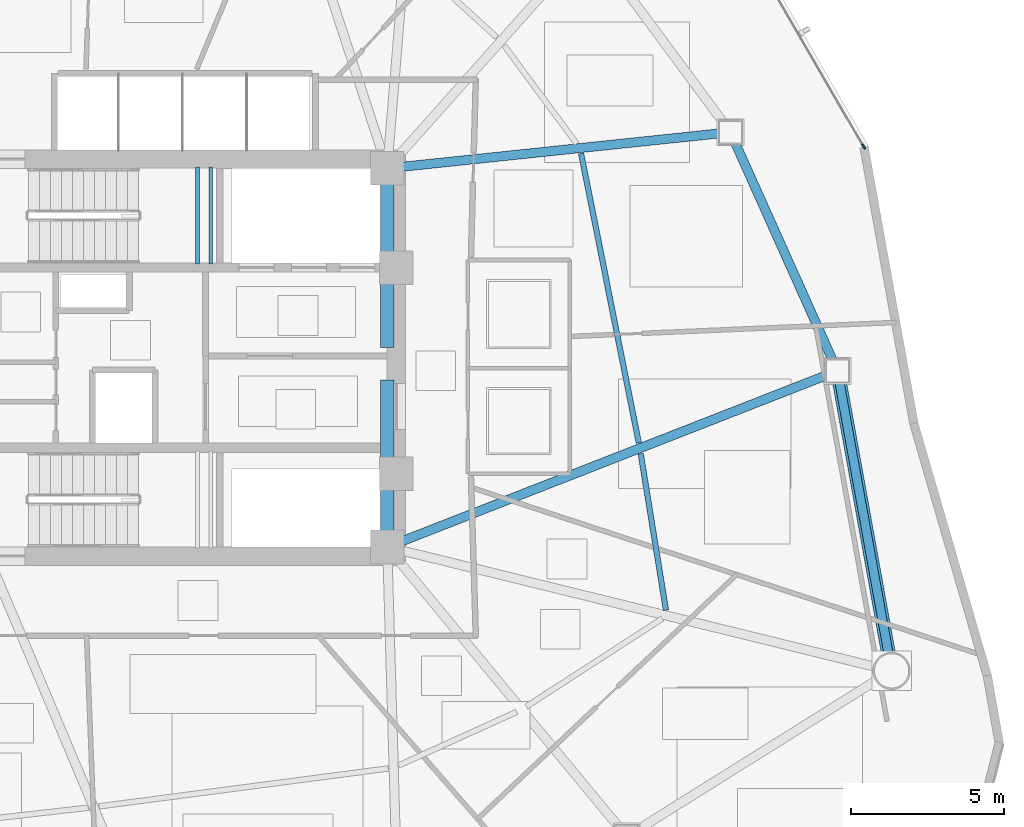
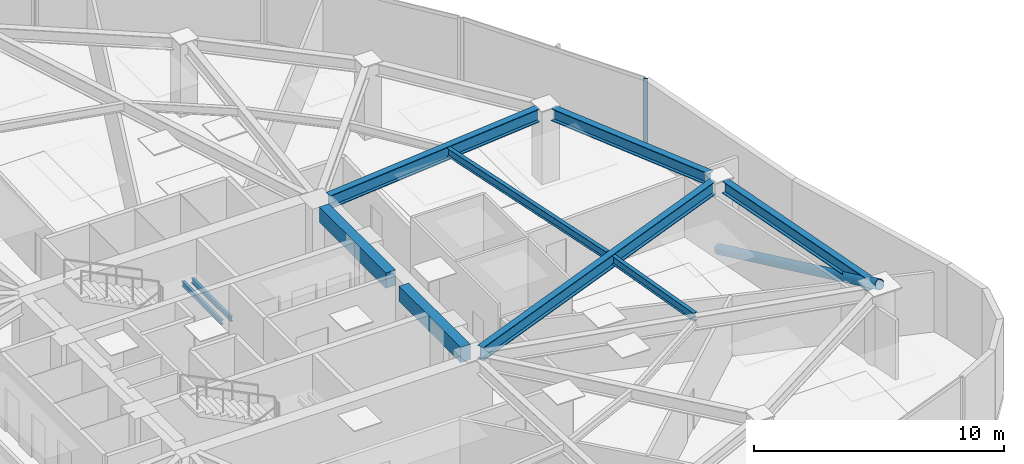
# One storey, part 6 of 17: 10 beams, 2 members, 1 element without a shape of its own.
"""IFC4 building model written with IfcOpenShell, lengths in metres."""

from ifc_helpers import new_model, si_unit, direction, frame, origin, origin_2d, place, context, subcontext, project, spatial, rectangle, hollow_rectangle, hollow_circle, i_section, extrude, source, transform, mapped, material, layer, layer_set, material_profile, profile_set, type_object, type_shapes, element, aggregate, save


model = new_model("IFC4")

# Units and contexts
model_context = context("Model", 3, precision=1e-05, world=origin(), true_north=direction((0.0, 1.0)))
body_context = subcontext(model_context, "Body", "Model", "MODEL_VIEW")
ifc_project = project(units=[si_unit("LENGTHUNIT", "METRE"), si_unit("AREAUNIT", "SQUARE_METRE"), si_unit("VOLUMEUNIT", "CUBIC_METRE"), si_unit("PLANEANGLEUNIT", "RADIAN"), si_unit("MASSUNIT", "GRAM", prefix="KILO")], contexts=[model_context])

# Site, building, storey
site_placement = place(None, origin())
site = spatial("IfcSite", under=ifc_project, at=site_placement, CompositionType="ELEMENT")
building_placement = place(site_placement, origin())
building = spatial("IfcBuilding", under=site, at=building_placement, Name="Tavelor Broadcast Tower", CompositionType="ELEMENT")
storey_placement = place(building_placement, frame((0.0, 0.0, 39.300048828125)))
storey = spatial("IfcBuildingStorey", under=building, at=storey_placement, Name="L08", CompositionType="ELEMENT", Elevation=39.300048828125)

# Beams
ifc_material_1 = material(Name="Concrete C40/50", Category="concrete")
ifc_material_profile_1 = material_profile(ifc_material_1, rectangle(XDim=0.449951171875, YDim=0.75, at=origin_2d()), Name="RC 450x750")
ifc_profile_set_1 = profile_set([ifc_material_profile_1], Name="Concrete C40/50")
beam_type_1 = type_object("IfcBeamType", Name="Basement Core Trim Beam 450x750", PredefinedType="BEAM", material=ifc_profile_set_1)
beam_1_placement = place(storey_placement, frame((56.60009765625, 45.327880859375, 3.224853515625), z_axis=(0.0, 1.0, 0.0), x_axis=(-1.0, 0.0, 0.0)))
element("IfcBeam", 1, at=beam_1_placement, inside=storey, type_object=beam_type_1, Name="L08 Core East-N Tie Girder", PredefinedType="BEAM", context=body_context, shape_type="SweptSolid", body=[
    extrude(rectangle(XDim=0.449951171875, YDim=0.75, at=origin_2d()), origin(), (0.0, 0.0, 1.0), 5.34423828125),
])
beam_2_placement = place(storey_placement, frame((56.60009765625, 39.327880859375, 3.224853515625), z_axis=(0.0, 1.0, 0.0), x_axis=(-1.0, 0.0, 0.0)))
element("IfcBeam", 2, at=beam_2_placement, inside=storey, type_object=beam_type_1, Name="L08 Core East-S Tie Girder", PredefinedType="BEAM", context=body_context, shape_type="SweptSolid", body=[
    extrude(rectangle(XDim=0.449951171875, YDim=0.75, at=origin_2d()), origin(), (0.0, 0.0, 1.0), 4.944091796875),
])
ifc_material_2 = material(Name="Steel S355", Category="steel")
ifc_material_profile_2 = material_profile(ifc_material_2, i_section(OverallWidth=0.179931640625, OverallDepth=0.39990234375, WebThickness=0.008544921875, FlangeThickness=0.013427734375, at=origin_2d()), Name="IPE 400")
ifc_profile_set_2 = profile_set([ifc_material_profile_2], Name="Steel S355")
beam_type_2 = type_object("IfcBeamType", Name="Composite Floor Joist T1 IPE 400", PredefinedType="JOIST", material=ifc_profile_set_2)
beam_3_placement = place(storey_placement, frame((65.728515625, 36.72998046875, 3.39990234375), z_axis=(-0.159264963379, 0.987235874267, 0.0), x_axis=(-0.987235874267, -0.159264963379, 0.0)))
element("IfcBeam", 3, at=beam_3_placement, inside=storey, type_object=beam_type_2, Name="L08 Secondary Composite Floor Joist 13", PredefinedType="JOIST", context=body_context, shape_type="SweptSolid", body=[
    extrude(i_section(OverallWidth=0.179931640625, OverallDepth=0.39990234375, WebThickness=0.008544921875, FlangeThickness=0.013427734375, at=origin_2d()), origin(), (0.0, 0.0, 1.0), 5.19189453125),
])
beam_4_placement = place(storey_placement, frame((64.83740234375, 42.2119140625, 3.39990234375), z_axis=(-0.195615567929, 0.980680656271, 0.0), x_axis=(-0.980680656271, -0.195615567929, 0.0)))
element("IfcBeam", 4, at=beam_4_placement, inside=storey, type_object=beam_type_2, Name="L08 Secondary Composite Floor Joist 14", PredefinedType="JOIST", context=body_context, shape_type="SweptSolid", body=[
    extrude(i_section(OverallWidth=0.179931640625, OverallDepth=0.39990234375, WebThickness=0.008544921875, FlangeThickness=0.013427734375, at=origin_2d()), origin(), (0.0, 0.0, 1.0), 9.661376953125),
])
ifc_material_profile_3 = material_profile(ifc_material_2, i_section(OverallWidth=0.300048828125, OverallDepth=0.60009765625, WebThickness=0.015380859375, FlangeThickness=0.030029296875, at=origin_2d()), Name="HEB 600")
ifc_profile_set_3 = profile_set([ifc_material_profile_3], Name="Steel S355")
beam_type_3 = type_object("IfcBeamType", Name="Perimeter Spandrel Beam T1 HEB 600", PredefinedType="SPANDREL", material=ifc_profile_set_3)
beam_5_placement = place(storey_placement, frame((73.013916015625, 35.31982421875, 3.300048828125), z_axis=(-0.177745578839, 0.984076475282, 0.0), x_axis=(-0.984076475282, -0.177745578839, 0.0)))
element("IfcBeam", 5, at=beam_5_placement, inside=storey, type_object=beam_type_3, Name="L08 Framed-Tube Ring Spandrel 13", PredefinedType="SPANDREL", context=body_context, shape_type="SweptSolid", body=[
    extrude(i_section(OverallWidth=0.300048828125, OverallDepth=0.60009765625, WebThickness=0.015380859375, FlangeThickness=0.030029296875, at=origin_2d()), origin(), (0.0, 0.0, 1.0), 9.010498046875),
])
beam_6_placement = place(storey_placement, frame((71.18701171875, 44.9150390625, 3.300048828125), z_axis=(-0.40892197507, 0.912569349861, 0.0), x_axis=(-0.912569349861, -0.40892197507, 0.0)))
element("IfcBeam", 6, at=beam_6_placement, inside=storey, type_object=beam_type_3, Name="L08 Framed-Tube Ring Spandrel 14", PredefinedType="SPANDREL", context=body_context, shape_type="SweptSolid", body=[
    extrude(i_section(OverallWidth=0.300048828125, OverallDepth=0.60009765625, WebThickness=0.015380859375, FlangeThickness=0.030029296875, at=origin_2d()), origin(), (0.0, 0.0, 1.0), 7.799072265625),
])

# Member
ifc_material_profile_4 = material_profile(ifc_material_2, hollow_circle(Radius=0.228515625, WallThickness=0.02001953125, at=origin_2d()), Name="CHS 457x20")
ifc_profile_set_4 = profile_set([ifc_material_profile_4], Name="Steel S355")
member_type_1 = type_object("IfcMemberType", Name="Perimeter Tube Brace T1 CHS 457x20", PredefinedType="BRACE", material=ifc_profile_set_4)
member_1_placement = place(storey_placement, frame((71.343994140625, 44.564697265625, 0.0), z_axis=(0.167207286332, -0.925692306634, 0.339316190059), x_axis=(0.984075144607, 0.177752945874, 0.0)))
element("IfcMember", 7, at=member_1_placement, inside=storey, type_object=member_type_1, Name="L08 Corner Tube Diagonal Brace 3", PredefinedType="BRACE", context=body_context, shape_type="SweptSolid", body=[
    extrude(hollow_circle(Radius=0.228515625, WallThickness=0.02001953125, at=origin_2d()), origin(), (0.0, 0.0, 1.0), 10.609130859375),
])

# Beams
ifc_material_profile_5 = material_profile(ifc_material_2, i_section(OverallWidth=0.300048828125, OverallDepth=0.64990234375, WebThickness=0.01611328125, FlangeThickness=0.031005859375, at=origin_2d()), Name="HEB 650")
ifc_profile_set_5 = profile_set([ifc_material_profile_5], Name="Steel S355")
beam_type_4 = type_object("IfcBeamType", Name="Radial Floor Girder T1 HEB 650", PredefinedType="BEAM", material=ifc_profile_set_5)
beam_7_placement = place(storey_placement, frame((57.091796875, 38.9921875, 3.27490234375), z_axis=(0.931344390249, 0.364139570429, 0.0), x_axis=(-0.364139570429, 0.931344390249, 0.0)))
element("IfcBeam", 8, at=beam_7_placement, inside=storey, type_object=beam_type_4, Name="L08 Radial Primary Floor Girder 14", PredefinedType="BEAM", context=body_context, shape_type="SweptSolid", body=[
    extrude(i_section(OverallWidth=0.300048828125, OverallDepth=0.64990234375, WebThickness=0.01611328125, FlangeThickness=0.031005859375, at=origin_2d()), origin(), (0.0, 0.0, 1.0), 14.9189453125),
])
beam_8_placement = place(storey_placement, frame((57.125, 51.255126953125, 3.27490234375), z_axis=(0.994511502262, 0.104627299822, 0.0), x_axis=(-0.104627299822, 0.994511502262, 0.0)))
element("IfcBeam", 9, at=beam_8_placement, inside=storey, type_object=beam_type_4, Name="L08 Radial Primary Floor Girder 15", PredefinedType="BEAM", context=body_context, shape_type="SweptSolid", body=[
    extrude(i_section(OverallWidth=0.300048828125, OverallDepth=0.64990234375, WebThickness=0.01611328125, FlangeThickness=0.031005859375, at=origin_2d()), origin(), (0.0, 0.0, 1.0), 10.390869140625),
])
ifc_material_profile_6 = material_profile(ifc_material_2, i_section(OverallWidth=0.1201171875, OverallDepth=0.239990234375, WebThickness=0.006103515625, FlangeThickness=0.009765625, at=origin_2d()), Name="IPE 240")
ifc_profile_set_6 = profile_set([ifc_material_profile_6], Name="Steel S355")
beam_type_5 = type_object("IfcBeamType", Name="Stairwell Landing Support Trimmer Beam IPE240", PredefinedType="BEAM", material=ifc_profile_set_6)
for number, where, z_axis, x_axis, name in (
    (10, (50.385009765625, 48.06005859375, 1.635009765625), (0.0, 1.0, 0.0), (-1.0, 0.0, 0.0), "L08 Stair Landing Support Beam 41"),
    (11, (50.824951171875, 48.06005859375, 1.635009765625), (0.0, 1.0, 0.0), (-1.0, 0.0, 0.0), "L08 Stair Landing Support Beam 42"),
):
    element("IfcBeam", number, at=place(storey_placement, frame(where, z_axis=z_axis, x_axis=x_axis)), inside=storey, type_object=beam_type_5, Name=name, PredefinedType="BEAM", context=body_context, shape_type="SweptSolid", body=[
        extrude(i_section(OverallWidth=0.1201171875, OverallDepth=0.239990234375, WebThickness=0.006103515625, FlangeThickness=0.009765625, at=origin_2d()), origin(), (0.0, 0.0, 1.0), 3.179931640625),
    ])

# Curtain wall, member
ifc_material_3 = material(Name="Architectural Anodized Aluminium", Category="aluminium")
ifc_layer = layer(ifc_material_3, 0.179931640625)
ifc_layer_set = layer_set([ifc_layer], Name="Architectural Anodized Aluminium")
curtain_wall_type = type_object("IfcCurtainWallType", Name="Tower Low-Zone Unitised Curtain Wall CW02", PredefinedType="NOTDEFINED", material=ifc_layer_set)
curtain_wall_placement = place(storey_placement, origin())
curtain_wall = element("IfcCurtainWall", 12, at=curtain_wall_placement, inside=storey, type_object=curtain_wall_type, Name="L08 Curtain Wall CW02 Run 57", PredefinedType="NOTDEFINED")
ifc_material_profile_7 = material_profile(ifc_material_3, hollow_rectangle(XDim=0.06494140625, YDim=0.179931640625, WallThickness=0.02197265625, at=origin_2d()), Name="RHS 65x180x22")
ifc_profile_set_7 = profile_set([ifc_material_profile_7], Name="Architectural Anodized Aluminium")
member_type_2 = type_object("IfcMemberType", Name="CW02 Extruded Aluminium Mullion 65x180", PredefinedType="MULLION", material=ifc_profile_set_7)
shared_shape = source(origin(), body_context, "Body", "SweptSolid", [
    extrude(hollow_rectangle(XDim=0.06494140625, YDim=0.179931640625, WallThickness=0.02197265625, at=origin_2d()), origin(), (0.0, 0.0, 1.0), 3.599853515625),
])
type_shapes(member_type_2, [shared_shape])
member_2_placement = place(storey_placement, frame((72.203369140625, 51.914794921875, 0.0), z_axis=(0.0, 0.0, 1.0), x_axis=(-0.864933850197, -0.501885878247, 0.0)))
member_2 = element("IfcMember", 13, at=member_2_placement, type_object=member_type_2, Name="CW02 mullion 1", PredefinedType="MULLION", context=body_context, shape_type="MappedRepresentation", body=[
    mapped(shared_shape, transform((0.0, 0.0, 0.0), scale=1.0)),
])
aggregate(curtain_wall, [member_2])

save(model, "model.ifc")
